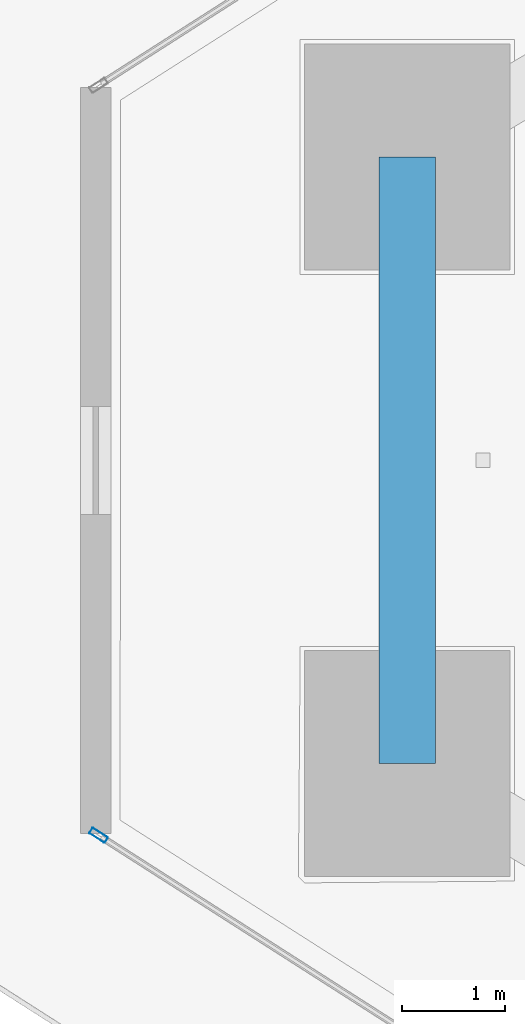
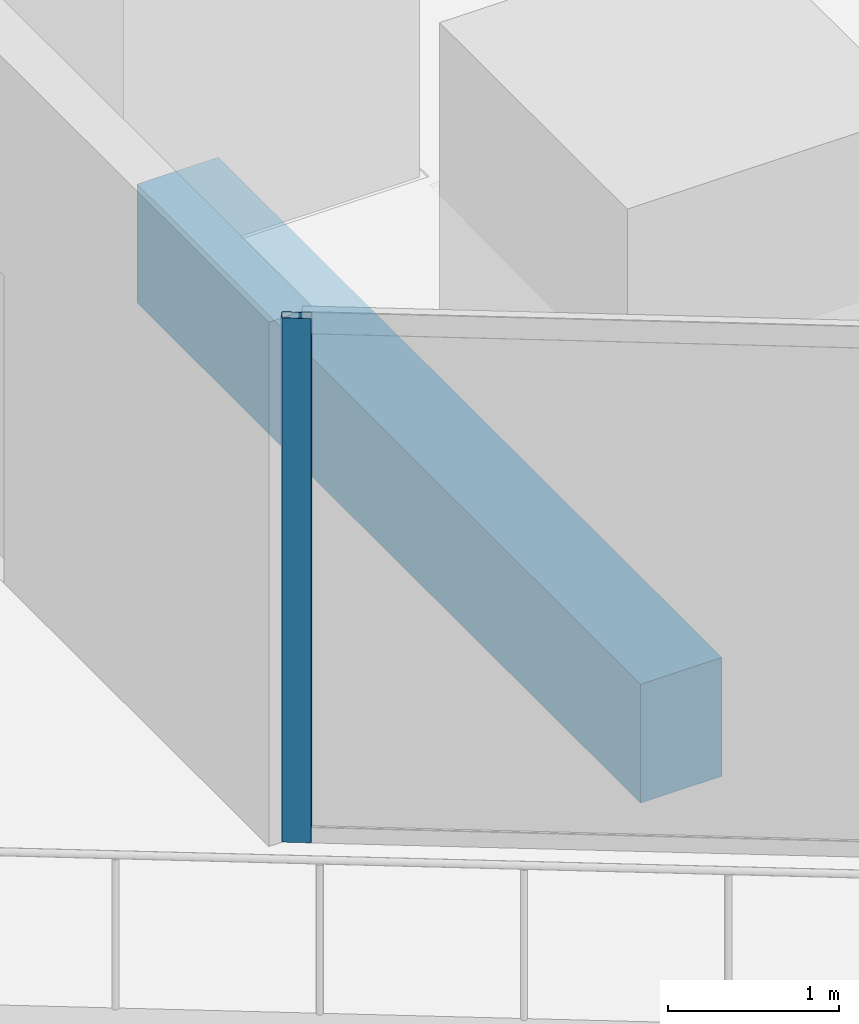
# One storey, part 5 of 36: 1 beam, 1 member, 1 element without a shape of its own.
"""IFC4 building model written with IfcOpenShell, lengths in metres."""

from ifc_helpers import new_model, si_unit, direction, frame, origin, origin_2d, place, context, subcontext, project, spatial, rectangle, hollow_rectangle, extrude, material, layer, layer_set, material_profile, profile_set, type_object, element, aggregate, save


model = new_model("IFC4")

# Units and contexts
model_context = context("Model", 3, precision=1e-05, world=origin(), true_north=direction((0.0, 1.0)))
body_context = subcontext(model_context, "Body", "Model", "MODEL_VIEW")
ifc_project = project(units=[si_unit("LENGTHUNIT", "METRE"), si_unit("AREAUNIT", "SQUARE_METRE"), si_unit("VOLUMEUNIT", "CUBIC_METRE"), si_unit("PLANEANGLEUNIT", "RADIAN"), si_unit("MASSUNIT", "GRAM", prefix="KILO")], contexts=[model_context])

# Site, building, storey
site_placement = place(None, origin())
site = spatial("IfcSite", under=ifc_project, at=site_placement, CompositionType="ELEMENT")
building_placement = place(site_placement, origin())
building = spatial("IfcBuilding", under=site, at=building_placement, Name="Qorvath Tower", CompositionType="ELEMENT")
storey_placement = place(building_placement, frame((0.0, 0.0, 170.550048828125)))
storey = spatial("IfcBuildingStorey", under=building, at=storey_placement, Name="L39", CompositionType="ELEMENT", Elevation=170.550048828125)

# Beam
ifc_material_1 = material(Name="Concrete C50/60", Category="concrete")
ifc_material_profile_1 = material_profile(ifc_material_1, rectangle(XDim=0.550048828125, YDim=0.85009765625, at=origin_2d()), Name="RCB 850x550")
ifc_profile_set_1 = profile_set([ifc_material_profile_1], Name="Concrete C50/60")
beam_type = type_object("IfcBeamType", Name="BM-RCB2", PredefinedType="SPANDREL", material=ifc_profile_set_1)
beam_placement = place(storey_placement, frame((-53.04931640625, 2.95068359375, -0.695068359375), z_axis=(0.0, -1.0, 0.0), x_axis=(1.0, 0.0, 0.0)))
element("IfcBeam", 1, at=beam_placement, inside=storey, type_object=beam_type, Name="Perimeter Loggia Frame Beam MC1-MC2 L39", PredefinedType="SPANDREL", context=body_context, shape_type="SweptSolid", body=[
    extrude(rectangle(XDim=0.550048828125, YDim=0.85009765625, at=origin_2d()), origin(), (0.0, 0.0, 1.0), 5.9013671875),
])

# Curtain wall, member
ifc_material_2 = material(Name="Anodised aluminium and triple low-E glass", Category="aluminium")
ifc_layer = layer(ifc_material_2, 0.179931640625)
ifc_layer_set = layer_set([ifc_layer], Name="CW-SYS-3")
curtain_wall_type = type_object("IfcCurtainWallType", Name="CW-SYS-3", PredefinedType="NOTDEFINED", material=ifc_layer_set)
curtain_wall_placement = place(storey_placement, origin())
curtain_wall = element("IfcCurtainWall", 2, at=curtain_wall_placement, inside=storey, type_object=curtain_wall_type, Name="Curtain Wall CW-3 CW-T-L39-2.1", PredefinedType="NOTDEFINED")
ifc_material_3 = material(Name="Anodised aluminium 6063-T6", Category="aluminium")
ifc_material_profile_2 = material_profile(ifc_material_3, hollow_rectangle(XDim=0.06494140625, YDim=0.179931640625, WallThickness=0.00341796875, InnerFilletRadius=0.00341796875, OuterFilletRadius=0.007080078125, at=origin_2d()), Name="CWM 180x65")
ifc_profile_set_2 = profile_set([ifc_material_profile_2], Name="Anodised aluminium 6063-T6")
member_type = type_object("IfcMemberType", Name="CWM-180", PredefinedType="MULLION", material=ifc_profile_set_2)
member_placement = place(storey_placement, frame((-56.0537109375, -3.648193359375, 0.0), z_axis=(0.0, 0.0, 1.0), x_axis=(0.538529198867, 0.842606848992, 0.0)))
member = element("IfcMember", 3, at=member_placement, type_object=member_type, Name="CW-3 mullion 1", PredefinedType="MULLION", context=body_context, shape_type="SweptSolid", body=[
    extrude(hollow_rectangle(XDim=0.06494140625, YDim=0.179931640625, WallThickness=0.00341796875, InnerFilletRadius=0.00341796875, OuterFilletRadius=0.007080078125, at=origin_2d()), origin(), (0.0, 0.0, 1.0), 3.75),
])
aggregate(curtain_wall, [member])

save(model, "model.ifc")
